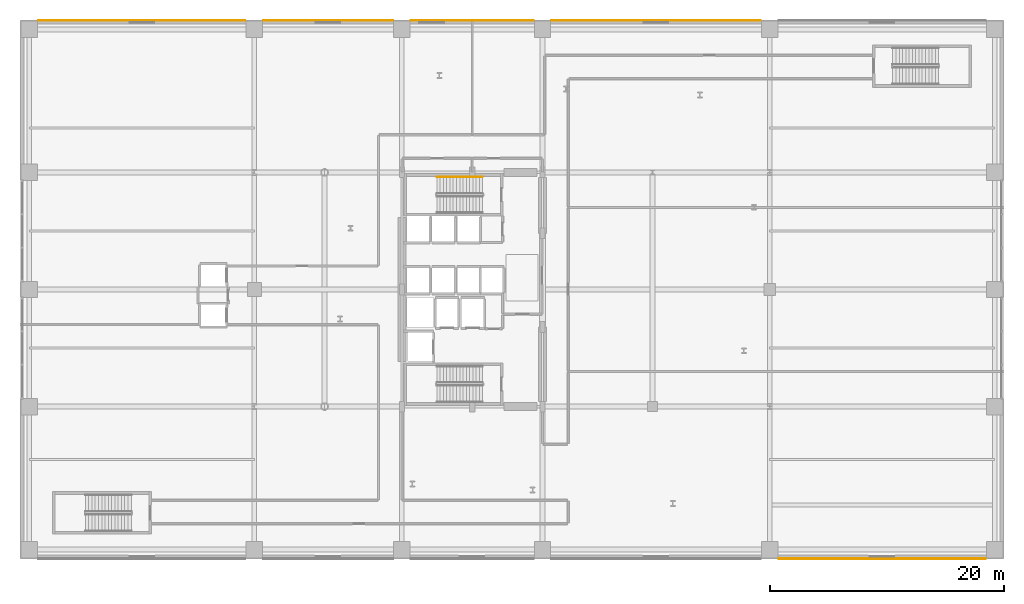
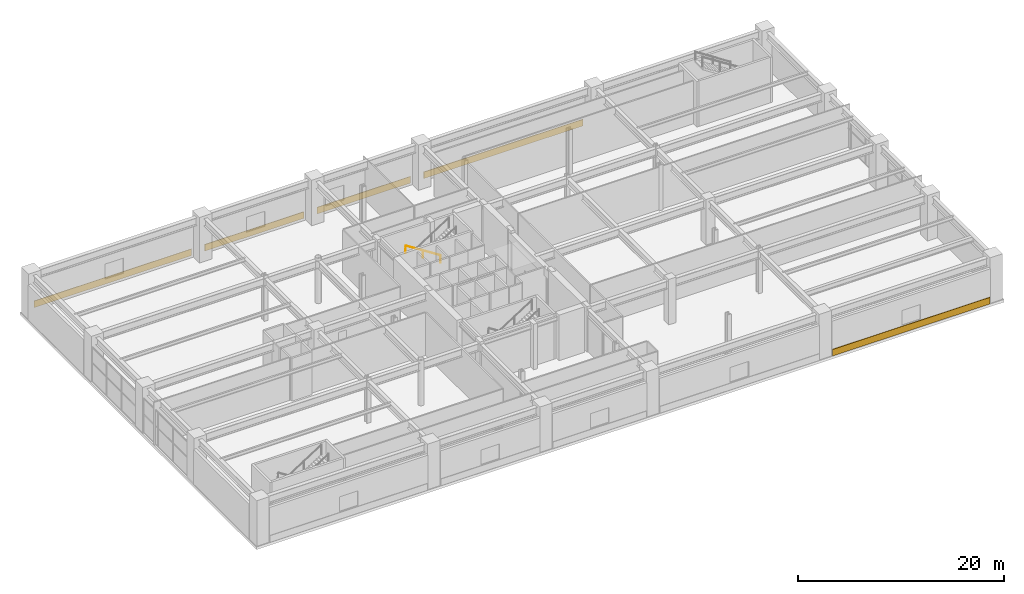
# One storey, part 27 of 28: 5 coverings, 1 railing.
"""IFC4 building model written with IfcOpenShell, lengths in metres."""

from ifc_helpers import new_model, si_unit, direction, frame, origin, origin_2d, place, context, subcontext, project, spatial, rectangle, circle, extrude, material, layer, layer_set, type_object, element, save


model = new_model("IFC4")

# Units and contexts
model_context = context("Model", 3, precision=1e-05, world=origin(), true_north=direction((0.0, 1.0)))
body_context = subcontext(model_context, "Body", "Model", "MODEL_VIEW")
ifc_project = project(units=[si_unit("LENGTHUNIT", "METRE"), si_unit("AREAUNIT", "SQUARE_METRE"), si_unit("VOLUMEUNIT", "CUBIC_METRE"), si_unit("PLANEANGLEUNIT", "RADIAN"), si_unit("MASSUNIT", "GRAM", prefix="KILO")], contexts=[model_context])

# Site, building, storey
site_placement = place(None, origin())
site = spatial("IfcSite", under=ifc_project, at=site_placement, CompositionType="ELEMENT")
building_placement = place(site_placement, origin())
building = spatial("IfcBuilding", under=site, at=building_placement, Name="Soratama Intermodal Tower", CompositionType="ELEMENT")
storey_placement = place(building_placement, frame((0.0, 0.0, 6.0)))
storey = spatial("IfcBuildingStorey", under=building, at=storey_placement, Name="L01", CompositionType="ELEMENT", Elevation=6.0)

# Coverings
ifc_material_1 = material(Name="Honed Andean limestone cladding", Category="masonry")
ifc_layer = layer(ifc_material_1, 0.06005859375)
ifc_layer_set = layer_set([ifc_layer], Name="Honed Andean limestone cladding")
covering_type = type_object("IfcCoveringType", Name="CV-STONE-CLAD", PredefinedType="CLADDING", material=ifc_layer_set)
covering_1_placement = place(storey_placement, frame((10.39990234375, 47.97607421875, 0.02978515625), z_axis=(0.0, 0.0, 1.0), x_axis=(1.0, 0.0, 0.0)))
element("IfcCovering", 1, at=covering_1_placement, inside=storey, type_object=covering_type, Name="L01 N Cladding B1", PredefinedType="CLADDING", context=body_context, shape_type="SweptSolid", body=[
    extrude(rectangle(XDim=17.699951171875, YDim=0.06005859375, at=origin_2d()), origin(), (0.0, 0.0, 1.0), 0.780029296875),
])
covering_2_placement = place(storey_placement, frame((26.300048828125, 47.97607421875, 0.02978515625), z_axis=(0.0, 0.0, 1.0), x_axis=(1.0, 0.0, 0.0)))
element("IfcCovering", 2, at=covering_2_placement, inside=storey, type_object=covering_type, Name="L01 N Cladding B2", PredefinedType="CLADDING", context=body_context, shape_type="SweptSolid", body=[
    extrude(rectangle(XDim=11.10009765625, YDim=0.06005859375, at=origin_2d()), origin(), (0.0, 0.0, 1.0), 0.780029296875),
])
covering_3_placement = place(storey_placement, frame((38.60009765625, 47.97607421875, 0.02978515625), z_axis=(0.0, 0.0, 1.0), x_axis=(1.0, 0.0, 0.0)))
element("IfcCovering", 3, at=covering_3_placement, inside=storey, type_object=covering_type, Name="L01 N Cladding B3", PredefinedType="CLADDING", context=body_context, shape_type="SweptSolid", body=[
    extrude(rectangle(XDim=10.5, YDim=0.06005859375, at=origin_2d()), origin(), (0.0, 0.0, 1.0), 0.780029296875),
])
covering_4_placement = place(storey_placement, frame((54.300048828125, 47.97607421875, 0.02978515625), z_axis=(0.0, 0.0, 1.0), x_axis=(1.0, 0.0, 0.0)))
element("IfcCovering", 4, at=covering_4_placement, inside=storey, type_object=covering_type, Name="L01 N Cladding B4", PredefinedType="CLADDING", context=body_context, shape_type="SweptSolid", body=[
    extrude(rectangle(XDim=17.89990234375, YDim=0.06005859375, at=origin_2d()), origin(), (0.0, 0.0, 1.0), 0.780029296875),
])
covering_5_placement = place(storey_placement, frame((73.60009765625, 2.02392578125, 0.02978515625), z_axis=(0.0, 0.0, 1.0), x_axis=(1.0, 0.0, 0.0)))
element("IfcCovering", 5, at=covering_5_placement, inside=storey, type_object=covering_type, Name="L01 S Cladding B5", PredefinedType="CLADDING", context=body_context, shape_type="SweptSolid", body=[
    extrude(rectangle(XDim=17.699951171875, YDim=0.06005859375, at=origin_2d()), origin(), (0.0, 0.0, 1.0), 0.780029296875),
])

# Railing
ifc_material_2 = material(Name="Brushed stainless steel handrail", Category="steel")
railing_type = type_object("IfcRailingType", Name="RL-STAIR-HAND", PredefinedType="HANDRAIL", material=ifc_material_2)
railing_placement = place(storey_placement, frame((39.5, 34.60009765625, 0.179931640625)))
element("IfcRailing", 6, at=railing_placement, inside=storey, type_object=railing_type, Name="L01 ST-2 stair handrail 1", PredefinedType="HANDRAIL", context=body_context, shape_type="SweptSolid", body=[
    extrude(circle(Radius=0.02392578125, at=origin_2d()), frame((0.0, 0.0, 0.8759765625), z_axis=(-0.841171666519, 0.0, 0.540768182723), x_axis=(0.0, -1.0, 0.0)), (0.0, 0.0, 1.0), 4.66015625),
    extrude(circle(Radius=0.02099609375, at=origin_2d()), origin(), (0.0, 0.0, 1.0), 0.851806640625),
    extrude(circle(Radius=0.02099609375, at=origin_2d()), frame((-1.9599609375, 0.0, 1.260009765625)), (0.0, 0.0, 1.0), 0.851806640625),
    extrude(circle(Radius=0.02099609375, at=origin_2d()), frame((-3.919921875, 0.0, 2.52001953125)), (0.0, 0.0, 1.0), 0.851806640625),
])

save(model, "model.ifc")
